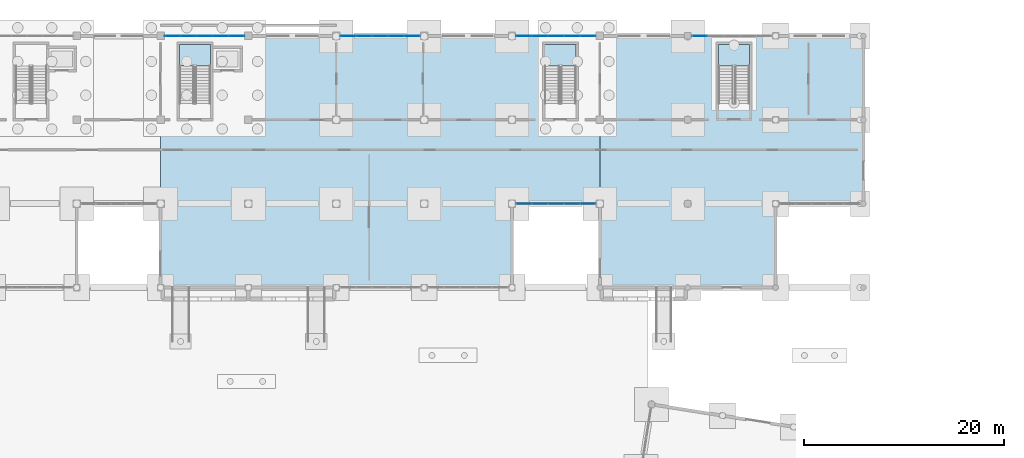
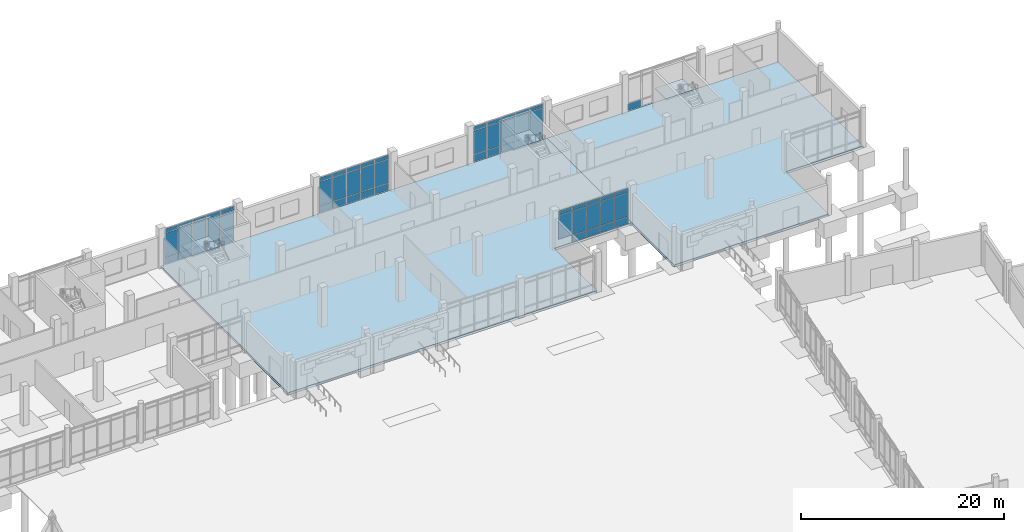
# One storey, part 38 of 72: 60 plates, 5 slabs, 8 elements without a shape of their own.
"""IFC4 building model written with IfcOpenShell, lengths in metres."""

import ifcopenshell
import ifcopenshell.guid

model = None  # the IFC model being written
_history = None  # IfcOwnerHistory: only IFC2X3 demands one
_inside = {}  # id of a spatial element -> (the spatial element, [elements in it])
_under = {}  # id of a project, library or spatial element -> (it, [spatial elements below it])
_declared = {}  # id of a project -> (the project, [libraries it declares])
_typed = {}  # id of a type object -> (the type object, [elements of that type])
_made_of = {}  # id of a material, layer set ... -> (it, [elements and type objects made of it])


def new_model(schema):
    """Start an empty IFC model of exactly this schema.

    Asked for "IFC4X3", IfcOpenShell would pick the latest addendum, in which some entities
    have other attributes; the version numbers below select the first issue.
    IFC2X3 requires an IfcOwnerHistory on every rooted entity: one is made here for all.
    """
    global model, _history
    if schema == "IFC4X3":
        model = ifcopenshell.file(schema_version=(4, 3, 0, 0))
    else:
        model = ifcopenshell.file(schema=schema)
    _inside.clear()
    _under.clear()
    _declared.clear()
    _typed.clear()
    _made_of.clear()
    _history = None
    if model.schema == "IFC2X3":
        org = make("IfcOrganization", Name="unknown")
        user = make(
            "IfcPersonAndOrganization",
            ThePerson=make("IfcPerson", FamilyName="unknown"),
            TheOrganization=org,
        )
        app = make(
            "IfcApplication",
            ApplicationDeveloper=org,
            Version="unknown",
            ApplicationFullName="unknown",
            ApplicationIdentifier="unknown",
        )
        _history = make(
            "IfcOwnerHistory",
            OwningUser=user,
            OwningApplication=app,
            ChangeAction="ADDED",
            CreationDate=0,
        )
    return model


def make(cls, **values):
    """One entity of the class cls with the attributes given. An attribute that is None is left unset."""
    return model.create_entity(
        cls, **{name: value for name, value in values.items() if value is not None}
    )


def rooted(cls, **values):
    """An entity with a GlobalId (a new one), such as an element, a storey or a relation."""
    return make(cls, GlobalId=ifcopenshell.guid.new(), OwnerHistory=_history, **values)


def si_unit(unit_type, name, prefix=None):
    """IfcSIUnit, for example si_unit("LENGTHUNIT", "METRE", prefix="MILLI")."""
    return make("IfcSIUnit", UnitType=unit_type, Prefix=prefix, Name=name)


def assignment(units):
    """IfcUnitAssignment: the units of a project."""
    return None if units is None else make("IfcUnitAssignment", Units=units)


def point(xyz):
    """IfcCartesianPoint."""
    return None if xyz is None else make("IfcCartesianPoint", Coordinates=xyz)


def direction(xyz):
    """IfcDirection."""
    return None if xyz is None else make("IfcDirection", DirectionRatios=xyz)


def frame(location, z_axis=None, x_axis=None):
    """IfcAxis2Placement3D, a coordinate frame: its origin and axes. An axis left out is left unset."""
    return make(
        "IfcAxis2Placement3D",
        Location=point(location),
        Axis=direction(z_axis),
        RefDirection=direction(x_axis),
    )


def frame_2d(location, x_axis=None):
    """IfcAxis2Placement2D, a coordinate frame in the plane: its origin and x axis."""
    return make(
        "IfcAxis2Placement2D", Location=point(location), RefDirection=direction(x_axis)
    )


def origin():
    """The frame at (0, 0, 0) with its axes left unset."""
    return frame((0.0, 0.0, 0.0))


def origin_2d():
    """The frame at (0, 0) in the plane with its x axis left unset."""
    return frame_2d((0.0, 0.0))


def place(relative_to, where):
    """IfcLocalPlacement: puts the frame where relative to a parent placement (None: the world)."""
    return make(
        "IfcLocalPlacement", PlacementRelTo=relative_to, RelativePlacement=where
    )


def context(
    kind, dimensions, precision=None, world=None, true_north=None, identifier=None
):
    """IfcGeometricRepresentationContext, for example the 3D "Model" context."""
    return make(
        "IfcGeometricRepresentationContext",
        ContextIdentifier=identifier,
        ContextType=kind,
        CoordinateSpaceDimension=dimensions,
        Precision=precision,
        WorldCoordinateSystem=world,
        TrueNorth=true_north,
    )


def subcontext(parent, identifier, kind, view, scale=None):
    """IfcGeometricRepresentationSubContext, for example "Body" below "Model"."""
    return make(
        "IfcGeometricRepresentationSubContext",
        ContextIdentifier=identifier,
        ContextType=kind,
        ParentContext=parent,
        TargetScale=scale,
        TargetView=view,
    )


def project(units=None, contexts=None):
    """IfcProject with its units and contexts."""
    return rooted(
        "IfcProject",
        Name="project",
        RepresentationContexts=contexts,
        UnitsInContext=assignment(units),
    )


def spatial(cls, under=None, at=None, **own):
    """A site, building, storey or space (cls), placed at a placement, below another one or the project."""
    s = rooted(cls, ObjectPlacement=at, **own)
    if under is not None:
        _under.setdefault(under.id(), (under, []))[1].append(s)
    return s


def polyline(points):
    """IfcPolyline through the points."""
    return make("IfcPolyline", Points=[point(p) for p in points])


def profile(cls, at=None, kind="AREA", **sizes):
    """A parametric profile (cls). Its sizes go by their IFC names, for example OverallWidth=200.0."""
    return make(cls, ProfileType=kind, Position=at, **sizes)


def rectangle(**sizes):
    """IfcRectangleProfileDef."""
    return profile("IfcRectangleProfileDef", **sizes)


def outline(outer, holes=None, kind="AREA"):
    """IfcArbitraryClosedProfileDef: a profile drawn as a closed curve; with holes, ...WithVoids."""
    if holes is None:
        return make("IfcArbitraryClosedProfileDef", ProfileType=kind, OuterCurve=outer)
    return make(
        "IfcArbitraryProfileDefWithVoids",
        ProfileType=kind,
        OuterCurve=outer,
        InnerCurves=holes,
    )


def extrude(swept, where, along, depth):
    """IfcExtrudedAreaSolid: the profile swept, set in the frame where, extruded along a direction by depth."""
    return make(
        "IfcExtrudedAreaSolid",
        SweptArea=swept,
        Position=where,
        ExtrudedDirection=direction(along),
        Depth=depth,
    )


def shape(context_of_items, identifier, shape_type, items):
    """IfcShapeRepresentation: the items that make up one representation, for example the "Body"."""
    return make(
        "IfcShapeRepresentation",
        ContextOfItems=context_of_items,
        RepresentationIdentifier=identifier,
        RepresentationType=shape_type,
        Items=items,
    )


def material(Name=None, Category=None):
    """IfcMaterial."""
    return make("IfcMaterial", Name=Name, Category=Category)


def layer(
    of_material, thickness, ventilated=None, Name=None, Category=None, Priority=None
):
    """IfcMaterialLayer: one layer of a wall or slab, of a material (None: an air gap)."""
    return make(
        "IfcMaterialLayer",
        Material=of_material,
        LayerThickness=thickness,
        IsVentilated=ventilated,
        Name=Name,
        Category=Category,
        Priority=Priority,
    )


def layer_set(layers, Name=None):
    """IfcMaterialLayerSet."""
    return make("IfcMaterialLayerSet", MaterialLayers=layers, LayerSetName=Name)


def made_of(thing, what):
    """Note that an element or type object is made of a material, layer set ...; save() writes the relation."""
    if what is not None:
        _made_of.setdefault(what.id(), (what, []))[1].append(thing)
    return thing


def type_object(cls, material=None, **own):
    """A type object (cls), such as IfcWallType, which elements share."""
    return made_of(rooted(cls, **own), material)


def element(
    cls,
    number,
    at=None,
    inside=None,
    cuts=None,
    type_object=None,
    material=None,
    context=None,
    identifier="Body",
    shape_type=None,
    held_by="IfcProductDefinitionShape",
    body=None,
    shapes=None,
    **own,
):
    """One element of the class cls, such as IfcWall. Its Tag is "e" and its number.

    at: its placement. inside: the storey or other place that contains it. cuts: it is an
    opening in that element (IfcRelVoidsElement). A single representation is given by context,
    identifier, shape_type and body (its items); several are given by shapes. held_by: the class
    of the entity that holds the representations. save() writes the other relations.
    """
    e = rooted(cls, Tag="e%d" % number, ObjectPlacement=at, **own)
    if body is not None:
        shapes = [shape(context, identifier, shape_type, body)]
    if shapes is not None:
        e.Representation = make(held_by, Representations=shapes)
    if inside is not None:
        _inside.setdefault(inside.id(), (inside, []))[1].append(e)
    if cuts is not None:
        rooted(
            "IfcRelVoidsElement", RelatingBuildingElement=cuts, RelatedOpeningElement=e
        )
    if type_object is not None:
        _typed.setdefault(type_object.id(), (type_object, []))[1].append(e)
    return made_of(e, material)


def aggregate(whole, parts):
    """IfcRelAggregates: a whole, such as a stair, and the parts it consists of."""
    return rooted("IfcRelAggregates", RelatingObject=whole, RelatedObjects=parts)


def save(model, path):
    """Write the relations noted so far, then the file.

    IfcRelAggregates (storeys below a building ...), IfcRelContainedInSpatialStructure (elements
    in a storey), IfcRelDefinesByType, IfcRelAssociatesMaterial and IfcRelDeclares: one each for
    every whole, place, type object, material and project.
    """
    for whole, parts in _under.values():
        aggregate(whole, parts)
    for where, things in _inside.values():
        rooted(
            "IfcRelContainedInSpatialStructure",
            RelatedElements=things,
            RelatingStructure=where,
        )
    for kind, things in _typed.values():
        rooted("IfcRelDefinesByType", RelatedObjects=things, RelatingType=kind)
    for what, things in _made_of.values():
        rooted("IfcRelAssociatesMaterial", RelatedObjects=things, RelatingMaterial=what)
    for by, libraries in _declared.values():
        rooted("IfcRelDeclares", RelatingContext=by, RelatedDefinitions=libraries)
    model.write(path)


model = new_model("IFC4")

# Units and contexts
model_context = context("Model", 3, precision=1e-05, world=origin(), true_north=direction((0.0, 1.0)))
body_context = subcontext(model_context, "Body", "Model", "MODEL_VIEW")
ifc_project = project(units=[si_unit("LENGTHUNIT", "METRE"), si_unit("AREAUNIT", "SQUARE_METRE"), si_unit("VOLUMEUNIT", "CUBIC_METRE"), si_unit("PLANEANGLEUNIT", "RADIAN"), si_unit("MASSUNIT", "GRAM", prefix="KILO")], contexts=[model_context])

# Site, building, storey
site_placement = place(None, origin())
site = spatial("IfcSite", under=ifc_project, at=site_placement, CompositionType="ELEMENT")
building_placement = place(site_placement, origin())
building = spatial("IfcBuilding", under=site, at=building_placement, Name="Cinderway Yard Community Centre", CompositionType="ELEMENT")
storey_placement = place(building_placement, origin())
storey = spatial("IfcBuildingStorey", under=building, at=storey_placement, Name="L00", CompositionType="ELEMENT", Elevation=0.0)

# Curtain wall, plates
ifc_material_1 = material(Name="Aluminium 6063-T6", Category="aluminium")
curtain_wall_type = type_object("IfcCurtainWallType", Name="ENV-CW-TYPE-25", PredefinedType="USERDEFINED", material=ifc_material_1)
curtain_wall_1_placement = place(storey_placement, origin())
curtain_wall_1 = element("IfcCurtainWall", 1, at=curtain_wall_1_placement, inside=storey, type_object=curtain_wall_type, Name="V4 Courtyard Curtain Wall ENV-CW-L00-ST-0119", ObjectType="GLAZED CURTAIN WALL", PredefinedType="USERDEFINED")
ifc_material_2 = material(Name="Laminated Low-E Glass", Category="glass")
ifc_layer_1 = layer(ifc_material_2, 0.028076171875, Name="Laminated Low-E Glass")
ifc_layer_set_1 = layer_set([ifc_layer_1], Name="Laminated Low-E Glass")
plate_type_1 = type_object("IfcPlateType", Name="ENV-CW-PAN-IGU28", PredefinedType="CURTAIN_PANEL", material=ifc_layer_set_1)
plate_1_placement = place(storey_placement, frame((111.59912109375, 98.39990234375, 0.93017578125), z_axis=(0.0, 0.0, 1.0), x_axis=(1.0, 0.0, 0.0)))
plate_1 = element("IfcPlate", 2, at=plate_1_placement, type_object=plate_type_1, Name="CW-25 panel 1.2", PredefinedType="CURTAIN_PANEL", context=body_context, shape_type="SweptSolid", body=[
    extrude(rectangle(XDim=1.51806640625, YDim=0.028076171875, at=origin_2d()), origin(), (0.0, 0.0, 1.0), 2.840087890625),
])
plate_2_placement = place(storey_placement, frame((111.59912109375, 98.39990234375, 3.830078125), z_axis=(0.0, 0.0, 1.0), x_axis=(1.0, 0.0, 0.0)))
plate_2 = element("IfcPlate", 3, at=plate_2_placement, type_object=plate_type_1, Name="CW-25 panel 1.3", PredefinedType="CURTAIN_PANEL", context=body_context, shape_type="SweptSolid", body=[
    extrude(rectangle(XDim=1.51806640625, YDim=0.028076171875, at=origin_2d()), origin(), (0.0, 0.0, 1.0), 0.4599609375),
])
plate_3_placement = place(storey_placement, frame((113.19189453125, 98.39990234375, 0.06005859375), z_axis=(0.0, 0.0, 1.0), x_axis=(1.0, 0.0, 0.0)))
plate_3 = element("IfcPlate", 4, at=plate_3_placement, type_object=plate_type_1, Name="CW-25 panel 2.1", PredefinedType="CURTAIN_PANEL", context=body_context, shape_type="SweptSolid", body=[
    extrude(rectangle(XDim=1.548095703125, YDim=0.028076171875, at=origin_2d()), origin(), (0.0, 0.0, 1.0), 0.81005859375),
])
plate_4_placement = place(storey_placement, frame((113.19189453125, 98.39990234375, 0.93017578125), z_axis=(0.0, 0.0, 1.0), x_axis=(1.0, 0.0, 0.0)))
plate_4 = element("IfcPlate", 5, at=plate_4_placement, type_object=plate_type_1, Name="CW-25 panel 2.2", PredefinedType="CURTAIN_PANEL", context=body_context, shape_type="SweptSolid", body=[
    extrude(rectangle(XDim=1.548095703125, YDim=0.028076171875, at=origin_2d()), origin(), (0.0, 0.0, 1.0), 2.840087890625),
])
plate_5_placement = place(storey_placement, frame((113.19189453125, 98.39990234375, 3.830078125), z_axis=(0.0, 0.0, 1.0), x_axis=(1.0, 0.0, 0.0)))
plate_5 = element("IfcPlate", 6, at=plate_5_placement, type_object=plate_type_1, Name="CW-25 panel 2.3", PredefinedType="CURTAIN_PANEL", context=body_context, shape_type="SweptSolid", body=[
    extrude(rectangle(XDim=1.548095703125, YDim=0.028076171875, at=origin_2d()), origin(), (0.0, 0.0, 1.0), 0.4599609375),
])
plate_6_placement = place(storey_placement, frame((114.800048828125, 98.39990234375, 0.06005859375), z_axis=(0.0, 0.0, 1.0), x_axis=(1.0, 0.0, 0.0)))
plate_6 = element("IfcPlate", 7, at=plate_6_placement, type_object=plate_type_1, Name="CW-25 panel 3.1", PredefinedType="CURTAIN_PANEL", context=body_context, shape_type="SweptSolid", body=[
    extrude(rectangle(XDim=1.548095703125, YDim=0.028076171875, at=origin_2d()), origin(), (0.0, 0.0, 1.0), 0.81005859375),
])
plate_7_placement = place(storey_placement, frame((114.800048828125, 98.39990234375, 0.93017578125), z_axis=(0.0, 0.0, 1.0), x_axis=(1.0, 0.0, 0.0)))
plate_7 = element("IfcPlate", 8, at=plate_7_placement, type_object=plate_type_1, Name="CW-25 panel 3.2", PredefinedType="CURTAIN_PANEL", context=body_context, shape_type="SweptSolid", body=[
    extrude(rectangle(XDim=1.548095703125, YDim=0.028076171875, at=origin_2d()), origin(), (0.0, 0.0, 1.0), 2.840087890625),
])
plate_8_placement = place(storey_placement, frame((114.800048828125, 98.39990234375, 3.830078125), z_axis=(0.0, 0.0, 1.0), x_axis=(1.0, 0.0, 0.0)))
plate_8 = element("IfcPlate", 9, at=plate_8_placement, type_object=plate_type_1, Name="CW-25 panel 3.3", PredefinedType="CURTAIN_PANEL", context=body_context, shape_type="SweptSolid", body=[
    extrude(rectangle(XDim=1.548095703125, YDim=0.028076171875, at=origin_2d()), origin(), (0.0, 0.0, 1.0), 0.4599609375),
])
plate_9_placement = place(storey_placement, frame((116.407958984375, 98.39990234375, 0.06005859375), z_axis=(0.0, 0.0, 1.0), x_axis=(1.0, 0.0, 0.0)))
plate_9 = element("IfcPlate", 10, at=plate_9_placement, type_object=plate_type_1, Name="CW-25 panel 4.1", PredefinedType="CURTAIN_PANEL", context=body_context, shape_type="SweptSolid", body=[
    extrude(rectangle(XDim=1.548095703125, YDim=0.028076171875, at=origin_2d()), origin(), (0.0, 0.0, 1.0), 0.81005859375),
])
plate_10_placement = place(storey_placement, frame((116.407958984375, 98.39990234375, 0.93017578125), z_axis=(0.0, 0.0, 1.0), x_axis=(1.0, 0.0, 0.0)))
plate_10 = element("IfcPlate", 11, at=plate_10_placement, type_object=plate_type_1, Name="CW-25 panel 4.2", PredefinedType="CURTAIN_PANEL", context=body_context, shape_type="SweptSolid", body=[
    extrude(rectangle(XDim=1.548095703125, YDim=0.028076171875, at=origin_2d()), origin(), (0.0, 0.0, 1.0), 2.840087890625),
])
plate_11_placement = place(storey_placement, frame((116.407958984375, 98.39990234375, 3.830078125), z_axis=(0.0, 0.0, 1.0), x_axis=(1.0, 0.0, 0.0)))
plate_11 = element("IfcPlate", 12, at=plate_11_placement, type_object=plate_type_1, Name="CW-25 panel 4.3", PredefinedType="CURTAIN_PANEL", context=body_context, shape_type="SweptSolid", body=[
    extrude(rectangle(XDim=1.548095703125, YDim=0.028076171875, at=origin_2d()), origin(), (0.0, 0.0, 1.0), 0.4599609375),
])
plate_12_placement = place(storey_placement, frame((118.0009765625, 98.39990234375, 0.06005859375), z_axis=(0.0, 0.0, 1.0), x_axis=(1.0, 0.0, 0.0)))
plate_12 = element("IfcPlate", 13, at=plate_12_placement, type_object=plate_type_1, Name="CW-25 panel 5.1", PredefinedType="CURTAIN_PANEL", context=body_context, shape_type="SweptSolid", body=[
    extrude(rectangle(XDim=1.51806640625, YDim=0.028076171875, at=origin_2d()), origin(), (0.0, 0.0, 1.0), 0.81005859375),
])
plate_13_placement = place(storey_placement, frame((118.0009765625, 98.39990234375, 0.93017578125), z_axis=(0.0, 0.0, 1.0), x_axis=(1.0, 0.0, 0.0)))
plate_13 = element("IfcPlate", 14, at=plate_13_placement, type_object=plate_type_1, Name="CW-25 panel 5.2", PredefinedType="CURTAIN_PANEL", context=body_context, shape_type="SweptSolid", body=[
    extrude(rectangle(XDim=1.51806640625, YDim=0.028076171875, at=origin_2d()), origin(), (0.0, 0.0, 1.0), 2.840087890625),
])
plate_14_placement = place(storey_placement, frame((118.0009765625, 98.39990234375, 3.830078125), z_axis=(0.0, 0.0, 1.0), x_axis=(1.0, 0.0, 0.0)))
plate_14 = element("IfcPlate", 15, at=plate_14_placement, type_object=plate_type_1, Name="CW-25 panel 5.3", PredefinedType="CURTAIN_PANEL", context=body_context, shape_type="SweptSolid", body=[
    extrude(rectangle(XDim=1.51806640625, YDim=0.028076171875, at=origin_2d()), origin(), (0.0, 0.0, 1.0), 0.4599609375),
])
aggregate(curtain_wall_1, [plate_1, plate_2, plate_3, plate_4, plate_5, plate_6, plate_7, plate_8, plate_9, plate_10, plate_11, plate_12, plate_13, plate_14])

curtain_wall_2_placement = place(storey_placement, origin())
curtain_wall_2 = element("IfcCurtainWall", 16, at=curtain_wall_2_placement, inside=storey, type_object=curtain_wall_type, Name="V4 Street Curtain Wall ENV-CW-L00-HS-0114", ObjectType="GLAZED CURTAIN WALL", PredefinedType="USERDEFINED")
ifc_layer_2 = layer(ifc_material_2, 0.031982421875, Name="Laminated Low-E Glass")
ifc_layer_set_2 = layer_set([ifc_layer_2], Name="Laminated Low-E Glass")
plate_type_2 = type_object("IfcPlateType", Name="ENV-CW-PAN-IGU32", PredefinedType="CURTAIN_PANEL", material=ifc_layer_set_2)
plate_15_placement = place(storey_placement, frame((76.39892578125, 115.199951171875, 0.06005859375), z_axis=(0.0, 0.0, 1.0), x_axis=(1.0, 0.0, 0.0)))
plate_15 = element("IfcPlate", 17, at=plate_15_placement, type_object=plate_type_2, Name="CW-25 panel 1.1", PredefinedType="CURTAIN_PANEL", context=body_context, shape_type="SweptSolid", body=[
    extrude(rectangle(XDim=1.51806640625, YDim=0.028076171875, at=origin_2d()), origin(), (0.0, 0.0, 1.0), 0.81005859375),
])
plate_16_placement = place(storey_placement, frame((76.39892578125, 115.199951171875, 0.93017578125), z_axis=(0.0, 0.0, 1.0), x_axis=(1.0, 0.0, 0.0)))
plate_16 = element("IfcPlate", 18, at=plate_16_placement, type_object=plate_type_2, Name="CW-25 panel 1.2", PredefinedType="CURTAIN_PANEL", context=body_context, shape_type="SweptSolid", body=[
    extrude(rectangle(XDim=1.51806640625, YDim=0.028076171875, at=origin_2d()), origin(), (0.0, 0.0, 1.0), 2.840087890625),
])
plate_17_placement = place(storey_placement, frame((76.39892578125, 115.199951171875, 3.830078125), z_axis=(0.0, 0.0, 1.0), x_axis=(1.0, 0.0, 0.0)))
plate_17 = element("IfcPlate", 19, at=plate_17_placement, type_object=plate_type_2, Name="CW-25 panel 1.3", PredefinedType="CURTAIN_PANEL", context=body_context, shape_type="SweptSolid", body=[
    extrude(rectangle(XDim=1.51806640625, YDim=0.028076171875, at=origin_2d()), origin(), (0.0, 0.0, 1.0), 0.4599609375),
])
plate_18_placement = place(storey_placement, frame((77.991943359375, 115.199951171875, 0.06005859375), z_axis=(0.0, 0.0, 1.0), x_axis=(1.0, 0.0, 0.0)))
plate_18 = element("IfcPlate", 20, at=plate_18_placement, type_object=plate_type_2, Name="CW-25 panel 2.1", PredefinedType="CURTAIN_PANEL", context=body_context, shape_type="SweptSolid", body=[
    extrude(rectangle(XDim=1.548095703125, YDim=0.028076171875, at=origin_2d()), origin(), (0.0, 0.0, 1.0), 0.81005859375),
])
plate_19_placement = place(storey_placement, frame((77.991943359375, 115.199951171875, 0.93017578125), z_axis=(0.0, 0.0, 1.0), x_axis=(1.0, 0.0, 0.0)))
plate_19 = element("IfcPlate", 21, at=plate_19_placement, type_object=plate_type_2, Name="CW-25 panel 2.2", PredefinedType="CURTAIN_PANEL", context=body_context, shape_type="SweptSolid", body=[
    extrude(rectangle(XDim=1.548095703125, YDim=0.028076171875, at=origin_2d()), origin(), (0.0, 0.0, 1.0), 2.840087890625),
])
plate_20_placement = place(storey_placement, frame((77.991943359375, 115.199951171875, 3.830078125), z_axis=(0.0, 0.0, 1.0), x_axis=(1.0, 0.0, 0.0)))
plate_20 = element("IfcPlate", 22, at=plate_20_placement, type_object=plate_type_2, Name="CW-25 panel 2.3", PredefinedType="CURTAIN_PANEL", context=body_context, shape_type="SweptSolid", body=[
    extrude(rectangle(XDim=1.548095703125, YDim=0.028076171875, at=origin_2d()), origin(), (0.0, 0.0, 1.0), 0.4599609375),
])
plate_21_placement = place(storey_placement, frame((79.60009765625, 115.199951171875, 0.06005859375), z_axis=(0.0, 0.0, 1.0), x_axis=(1.0, 0.0, 0.0)))
plate_21 = element("IfcPlate", 23, at=plate_21_placement, type_object=plate_type_2, Name="CW-25 panel 3.1", PredefinedType="CURTAIN_PANEL", context=body_context, shape_type="SweptSolid", body=[
    extrude(rectangle(XDim=1.548095703125, YDim=0.028076171875, at=origin_2d()), origin(), (0.0, 0.0, 1.0), 0.81005859375),
])
plate_22_placement = place(storey_placement, frame((79.60009765625, 115.199951171875, 0.93017578125), z_axis=(0.0, 0.0, 1.0), x_axis=(1.0, 0.0, 0.0)))
plate_22 = element("IfcPlate", 24, at=plate_22_placement, type_object=plate_type_2, Name="CW-25 panel 3.2", PredefinedType="CURTAIN_PANEL", context=body_context, shape_type="SweptSolid", body=[
    extrude(rectangle(XDim=1.548095703125, YDim=0.028076171875, at=origin_2d()), origin(), (0.0, 0.0, 1.0), 2.840087890625),
])
plate_23_placement = place(storey_placement, frame((79.60009765625, 115.199951171875, 3.830078125), z_axis=(0.0, 0.0, 1.0), x_axis=(1.0, 0.0, 0.0)))
plate_23 = element("IfcPlate", 25, at=plate_23_placement, type_object=plate_type_2, Name="CW-25 panel 3.3", PredefinedType="CURTAIN_PANEL", context=body_context, shape_type="SweptSolid", body=[
    extrude(rectangle(XDim=1.548095703125, YDim=0.028076171875, at=origin_2d()), origin(), (0.0, 0.0, 1.0), 0.4599609375),
])
plate_24_placement = place(storey_placement, frame((81.2080078125, 115.199951171875, 0.06005859375), z_axis=(0.0, 0.0, 1.0), x_axis=(1.0, 0.0, 0.0)))
plate_24 = element("IfcPlate", 26, at=plate_24_placement, type_object=plate_type_2, Name="CW-25 panel 4.1", PredefinedType="CURTAIN_PANEL", context=body_context, shape_type="SweptSolid", body=[
    extrude(rectangle(XDim=1.548095703125, YDim=0.028076171875, at=origin_2d()), origin(), (0.0, 0.0, 1.0), 0.81005859375),
])
plate_25_placement = place(storey_placement, frame((81.2080078125, 115.199951171875, 0.93017578125), z_axis=(0.0, 0.0, 1.0), x_axis=(1.0, 0.0, 0.0)))
plate_25 = element("IfcPlate", 27, at=plate_25_placement, type_object=plate_type_2, Name="CW-25 panel 4.2", PredefinedType="CURTAIN_PANEL", context=body_context, shape_type="SweptSolid", body=[
    extrude(rectangle(XDim=1.548095703125, YDim=0.028076171875, at=origin_2d()), origin(), (0.0, 0.0, 1.0), 2.840087890625),
])
plate_26_placement = place(storey_placement, frame((81.2080078125, 115.199951171875, 3.830078125), z_axis=(0.0, 0.0, 1.0), x_axis=(1.0, 0.0, 0.0)))
plate_26 = element("IfcPlate", 28, at=plate_26_placement, type_object=plate_type_2, Name="CW-25 panel 4.3", PredefinedType="CURTAIN_PANEL", context=body_context, shape_type="SweptSolid", body=[
    extrude(rectangle(XDim=1.548095703125, YDim=0.028076171875, at=origin_2d()), origin(), (0.0, 0.0, 1.0), 0.4599609375),
])
plate_27_placement = place(storey_placement, frame((82.801025390625, 115.199951171875, 0.06005859375), z_axis=(0.0, 0.0, 1.0), x_axis=(1.0, 0.0, 0.0)))
plate_27 = element("IfcPlate", 29, at=plate_27_placement, type_object=plate_type_2, Name="CW-25 panel 5.1", PredefinedType="CURTAIN_PANEL", context=body_context, shape_type="SweptSolid", body=[
    extrude(rectangle(XDim=1.51806640625, YDim=0.028076171875, at=origin_2d()), origin(), (0.0, 0.0, 1.0), 0.81005859375),
])
plate_28_placement = place(storey_placement, frame((82.801025390625, 115.199951171875, 0.93017578125), z_axis=(0.0, 0.0, 1.0), x_axis=(1.0, 0.0, 0.0)))
plate_28 = element("IfcPlate", 30, at=plate_28_placement, type_object=plate_type_2, Name="CW-25 panel 5.2", PredefinedType="CURTAIN_PANEL", context=body_context, shape_type="SweptSolid", body=[
    extrude(rectangle(XDim=1.51806640625, YDim=0.028076171875, at=origin_2d()), origin(), (0.0, 0.0, 1.0), 2.840087890625),
])
plate_29_placement = place(storey_placement, frame((82.801025390625, 115.199951171875, 3.830078125), z_axis=(0.0, 0.0, 1.0), x_axis=(1.0, 0.0, 0.0)))
plate_29 = element("IfcPlate", 31, at=plate_29_placement, type_object=plate_type_2, Name="CW-25 panel 5.3", PredefinedType="CURTAIN_PANEL", context=body_context, shape_type="SweptSolid", body=[
    extrude(rectangle(XDim=1.51806640625, YDim=0.028076171875, at=origin_2d()), origin(), (0.0, 0.0, 1.0), 0.4599609375),
])
aggregate(curtain_wall_2, [plate_15, plate_16, plate_17, plate_18, plate_19, plate_20, plate_21, plate_22, plate_23, plate_24, plate_25, plate_26, plate_27, plate_28, plate_29])

curtain_wall_3_placement = place(storey_placement, origin())
curtain_wall_3 = element("IfcCurtainWall", 32, at=curtain_wall_3_placement, inside=storey, type_object=curtain_wall_type, Name="V4 Street Curtain Wall ENV-CW-L00-HS-0115", ObjectType="GLAZED CURTAIN WALL", PredefinedType="USERDEFINED")
plate_30_placement = place(storey_placement, frame((93.9990234375, 115.199951171875, 0.06005859375), z_axis=(0.0, 0.0, 1.0), x_axis=(1.0, 0.0, 0.0)))
plate_30 = element("IfcPlate", 33, at=plate_30_placement, type_object=plate_type_2, Name="CW-25 panel 1.1", PredefinedType="CURTAIN_PANEL", context=body_context, shape_type="SweptSolid", body=[
    extrude(rectangle(XDim=1.51806640625, YDim=0.028076171875, at=origin_2d()), origin(), (0.0, 0.0, 1.0), 0.81005859375),
])
plate_31_placement = place(storey_placement, frame((93.9990234375, 115.199951171875, 0.93017578125), z_axis=(0.0, 0.0, 1.0), x_axis=(1.0, 0.0, 0.0)))
plate_31 = element("IfcPlate", 34, at=plate_31_placement, type_object=plate_type_2, Name="CW-25 panel 1.2", PredefinedType="CURTAIN_PANEL", context=body_context, shape_type="SweptSolid", body=[
    extrude(rectangle(XDim=1.51806640625, YDim=0.028076171875, at=origin_2d()), origin(), (0.0, 0.0, 1.0), 2.840087890625),
])
plate_32_placement = place(storey_placement, frame((93.9990234375, 115.199951171875, 3.830078125), z_axis=(0.0, 0.0, 1.0), x_axis=(1.0, 0.0, 0.0)))
plate_32 = element("IfcPlate", 35, at=plate_32_placement, type_object=plate_type_2, Name="CW-25 panel 1.3", PredefinedType="CURTAIN_PANEL", context=body_context, shape_type="SweptSolid", body=[
    extrude(rectangle(XDim=1.51806640625, YDim=0.028076171875, at=origin_2d()), origin(), (0.0, 0.0, 1.0), 0.4599609375),
])
plate_33_placement = place(storey_placement, frame((95.592041015625, 115.199951171875, 0.06005859375), z_axis=(0.0, 0.0, 1.0), x_axis=(1.0, 0.0, 0.0)))
plate_33 = element("IfcPlate", 36, at=plate_33_placement, type_object=plate_type_2, Name="CW-25 panel 2.1", PredefinedType="CURTAIN_PANEL", context=body_context, shape_type="SweptSolid", body=[
    extrude(rectangle(XDim=1.548095703125, YDim=0.028076171875, at=origin_2d()), origin(), (0.0, 0.0, 1.0), 0.81005859375),
])
plate_34_placement = place(storey_placement, frame((95.592041015625, 115.199951171875, 0.93017578125), z_axis=(0.0, 0.0, 1.0), x_axis=(1.0, 0.0, 0.0)))
plate_34 = element("IfcPlate", 37, at=plate_34_placement, type_object=plate_type_2, Name="CW-25 panel 2.2", PredefinedType="CURTAIN_PANEL", context=body_context, shape_type="SweptSolid", body=[
    extrude(rectangle(XDim=1.548095703125, YDim=0.028076171875, at=origin_2d()), origin(), (0.0, 0.0, 1.0), 2.840087890625),
])
plate_35_placement = place(storey_placement, frame((95.592041015625, 115.199951171875, 3.830078125), z_axis=(0.0, 0.0, 1.0), x_axis=(1.0, 0.0, 0.0)))
plate_35 = element("IfcPlate", 38, at=plate_35_placement, type_object=plate_type_2, Name="CW-25 panel 2.3", PredefinedType="CURTAIN_PANEL", context=body_context, shape_type="SweptSolid", body=[
    extrude(rectangle(XDim=1.548095703125, YDim=0.028076171875, at=origin_2d()), origin(), (0.0, 0.0, 1.0), 0.4599609375),
])
plate_36_placement = place(storey_placement, frame((97.199951171875, 115.199951171875, 0.06005859375), z_axis=(0.0, 0.0, 1.0), x_axis=(1.0, 0.0, 0.0)))
plate_36 = element("IfcPlate", 39, at=plate_36_placement, type_object=plate_type_2, Name="CW-25 panel 3.1", PredefinedType="CURTAIN_PANEL", context=body_context, shape_type="SweptSolid", body=[
    extrude(rectangle(XDim=1.548095703125, YDim=0.028076171875, at=origin_2d()), origin(), (0.0, 0.0, 1.0), 0.81005859375),
])
plate_37_placement = place(storey_placement, frame((97.199951171875, 115.199951171875, 0.93017578125), z_axis=(0.0, 0.0, 1.0), x_axis=(1.0, 0.0, 0.0)))
plate_37 = element("IfcPlate", 40, at=plate_37_placement, type_object=plate_type_2, Name="CW-25 panel 3.2", PredefinedType="CURTAIN_PANEL", context=body_context, shape_type="SweptSolid", body=[
    extrude(rectangle(XDim=1.548095703125, YDim=0.028076171875, at=origin_2d()), origin(), (0.0, 0.0, 1.0), 2.840087890625),
])
plate_38_placement = place(storey_placement, frame((97.199951171875, 115.199951171875, 3.830078125), z_axis=(0.0, 0.0, 1.0), x_axis=(1.0, 0.0, 0.0)))
plate_38 = element("IfcPlate", 41, at=plate_38_placement, type_object=plate_type_2, Name="CW-25 panel 3.3", PredefinedType="CURTAIN_PANEL", context=body_context, shape_type="SweptSolid", body=[
    extrude(rectangle(XDim=1.548095703125, YDim=0.028076171875, at=origin_2d()), origin(), (0.0, 0.0, 1.0), 0.4599609375),
])
plate_39_placement = place(storey_placement, frame((98.80810546875, 115.199951171875, 0.06005859375), z_axis=(0.0, 0.0, 1.0), x_axis=(1.0, 0.0, 0.0)))
plate_39 = element("IfcPlate", 42, at=plate_39_placement, type_object=plate_type_2, Name="CW-25 panel 4.1", PredefinedType="CURTAIN_PANEL", context=body_context, shape_type="SweptSolid", body=[
    extrude(rectangle(XDim=1.548095703125, YDim=0.028076171875, at=origin_2d()), origin(), (0.0, 0.0, 1.0), 0.81005859375),
])
plate_40_placement = place(storey_placement, frame((98.80810546875, 115.199951171875, 0.93017578125), z_axis=(0.0, 0.0, 1.0), x_axis=(1.0, 0.0, 0.0)))
plate_40 = element("IfcPlate", 43, at=plate_40_placement, type_object=plate_type_2, Name="CW-25 panel 4.2", PredefinedType="CURTAIN_PANEL", context=body_context, shape_type="SweptSolid", body=[
    extrude(rectangle(XDim=1.548095703125, YDim=0.028076171875, at=origin_2d()), origin(), (0.0, 0.0, 1.0), 2.840087890625),
])
plate_41_placement = place(storey_placement, frame((98.80810546875, 115.199951171875, 3.830078125), z_axis=(0.0, 0.0, 1.0), x_axis=(1.0, 0.0, 0.0)))
plate_41 = element("IfcPlate", 44, at=plate_41_placement, type_object=plate_type_2, Name="CW-25 panel 4.3", PredefinedType="CURTAIN_PANEL", context=body_context, shape_type="SweptSolid", body=[
    extrude(rectangle(XDim=1.548095703125, YDim=0.028076171875, at=origin_2d()), origin(), (0.0, 0.0, 1.0), 0.4599609375),
])
plate_42_placement = place(storey_placement, frame((100.40087890625, 115.199951171875, 0.06005859375), z_axis=(0.0, 0.0, 1.0), x_axis=(1.0, 0.0, 0.0)))
plate_42 = element("IfcPlate", 45, at=plate_42_placement, type_object=plate_type_2, Name="CW-25 panel 5.1", PredefinedType="CURTAIN_PANEL", context=body_context, shape_type="SweptSolid", body=[
    extrude(rectangle(XDim=1.51806640625, YDim=0.028076171875, at=origin_2d()), origin(), (0.0, 0.0, 1.0), 0.81005859375),
])
plate_43_placement = place(storey_placement, frame((100.40087890625, 115.199951171875, 0.93017578125), z_axis=(0.0, 0.0, 1.0), x_axis=(1.0, 0.0, 0.0)))
plate_43 = element("IfcPlate", 46, at=plate_43_placement, type_object=plate_type_2, Name="CW-25 panel 5.2", PredefinedType="CURTAIN_PANEL", context=body_context, shape_type="SweptSolid", body=[
    extrude(rectangle(XDim=1.51806640625, YDim=0.028076171875, at=origin_2d()), origin(), (0.0, 0.0, 1.0), 2.840087890625),
])
plate_44_placement = place(storey_placement, frame((100.40087890625, 115.199951171875, 3.830078125), z_axis=(0.0, 0.0, 1.0), x_axis=(1.0, 0.0, 0.0)))
plate_44 = element("IfcPlate", 47, at=plate_44_placement, type_object=plate_type_2, Name="CW-25 panel 5.3", PredefinedType="CURTAIN_PANEL", context=body_context, shape_type="SweptSolid", body=[
    extrude(rectangle(XDim=1.51806640625, YDim=0.028076171875, at=origin_2d()), origin(), (0.0, 0.0, 1.0), 0.4599609375),
])
aggregate(curtain_wall_3, [plate_30, plate_31, plate_32, plate_33, plate_34, plate_35, plate_36, plate_37, plate_38, plate_39, plate_40, plate_41, plate_42, plate_43, plate_44])

curtain_wall_4_placement = place(storey_placement, origin())
curtain_wall_4 = element("IfcCurtainWall", 48, at=curtain_wall_4_placement, inside=storey, type_object=curtain_wall_type, Name="V4 Street Curtain Wall ENV-CW-L00-HS-0118", ObjectType="GLAZED CURTAIN WALL", PredefinedType="USERDEFINED")
plate_45_placement = place(storey_placement, frame((111.59912109375, 115.199951171875, 0.06005859375), z_axis=(0.0, 0.0, 1.0), x_axis=(1.0, 0.0, 0.0)))
plate_45 = element("IfcPlate", 49, at=plate_45_placement, type_object=plate_type_2, Name="CW-25 panel 1.1", PredefinedType="CURTAIN_PANEL", context=body_context, shape_type="SweptSolid", body=[
    extrude(rectangle(XDim=1.51806640625, YDim=0.028076171875, at=origin_2d()), origin(), (0.0, 0.0, 1.0), 0.81005859375),
])
plate_46_placement = place(storey_placement, frame((111.59912109375, 115.199951171875, 0.93017578125), z_axis=(0.0, 0.0, 1.0), x_axis=(1.0, 0.0, 0.0)))
plate_46 = element("IfcPlate", 50, at=plate_46_placement, type_object=plate_type_2, Name="CW-25 panel 1.2", PredefinedType="CURTAIN_PANEL", context=body_context, shape_type="SweptSolid", body=[
    extrude(rectangle(XDim=1.51806640625, YDim=0.028076171875, at=origin_2d()), origin(), (0.0, 0.0, 1.0), 2.840087890625),
])
plate_47_placement = place(storey_placement, frame((111.59912109375, 115.199951171875, 3.830078125), z_axis=(0.0, 0.0, 1.0), x_axis=(1.0, 0.0, 0.0)))
plate_47 = element("IfcPlate", 51, at=plate_47_placement, type_object=plate_type_2, Name="CW-25 panel 1.3", PredefinedType="CURTAIN_PANEL", context=body_context, shape_type="SweptSolid", body=[
    extrude(rectangle(XDim=1.51806640625, YDim=0.028076171875, at=origin_2d()), origin(), (0.0, 0.0, 1.0), 0.4599609375),
])
plate_48_placement = place(storey_placement, frame((113.19189453125, 115.199951171875, 0.06005859375), z_axis=(0.0, 0.0, 1.0), x_axis=(1.0, 0.0, 0.0)))
plate_48 = element("IfcPlate", 52, at=plate_48_placement, type_object=plate_type_2, Name="CW-25 panel 2.1", PredefinedType="CURTAIN_PANEL", context=body_context, shape_type="SweptSolid", body=[
    extrude(rectangle(XDim=1.548095703125, YDim=0.028076171875, at=origin_2d()), origin(), (0.0, 0.0, 1.0), 0.81005859375),
])
plate_49_placement = place(storey_placement, frame((113.19189453125, 115.199951171875, 0.93017578125), z_axis=(0.0, 0.0, 1.0), x_axis=(1.0, 0.0, 0.0)))
plate_49 = element("IfcPlate", 53, at=plate_49_placement, type_object=plate_type_2, Name="CW-25 panel 2.2", PredefinedType="CURTAIN_PANEL", context=body_context, shape_type="SweptSolid", body=[
    extrude(rectangle(XDim=1.548095703125, YDim=0.028076171875, at=origin_2d()), origin(), (0.0, 0.0, 1.0), 2.840087890625),
])
plate_50_placement = place(storey_placement, frame((113.19189453125, 115.199951171875, 3.830078125), z_axis=(0.0, 0.0, 1.0), x_axis=(1.0, 0.0, 0.0)))
plate_50 = element("IfcPlate", 54, at=plate_50_placement, type_object=plate_type_2, Name="CW-25 panel 2.3", PredefinedType="CURTAIN_PANEL", context=body_context, shape_type="SweptSolid", body=[
    extrude(rectangle(XDim=1.548095703125, YDim=0.028076171875, at=origin_2d()), origin(), (0.0, 0.0, 1.0), 0.4599609375),
])
plate_51_placement = place(storey_placement, frame((114.800048828125, 115.199951171875, 0.06005859375), z_axis=(0.0, 0.0, 1.0), x_axis=(1.0, 0.0, 0.0)))
plate_51 = element("IfcPlate", 55, at=plate_51_placement, type_object=plate_type_2, Name="CW-25 panel 3.1", PredefinedType="CURTAIN_PANEL", context=body_context, shape_type="SweptSolid", body=[
    extrude(rectangle(XDim=1.548095703125, YDim=0.028076171875, at=origin_2d()), origin(), (0.0, 0.0, 1.0), 0.81005859375),
])
plate_52_placement = place(storey_placement, frame((114.800048828125, 115.199951171875, 0.93017578125), z_axis=(0.0, 0.0, 1.0), x_axis=(1.0, 0.0, 0.0)))
plate_52 = element("IfcPlate", 56, at=plate_52_placement, type_object=plate_type_2, Name="CW-25 panel 3.2", PredefinedType="CURTAIN_PANEL", context=body_context, shape_type="SweptSolid", body=[
    extrude(rectangle(XDim=1.548095703125, YDim=0.028076171875, at=origin_2d()), origin(), (0.0, 0.0, 1.0), 2.840087890625),
])
plate_53_placement = place(storey_placement, frame((114.800048828125, 115.199951171875, 3.830078125), z_axis=(0.0, 0.0, 1.0), x_axis=(1.0, 0.0, 0.0)))
plate_53 = element("IfcPlate", 57, at=plate_53_placement, type_object=plate_type_2, Name="CW-25 panel 3.3", PredefinedType="CURTAIN_PANEL", context=body_context, shape_type="SweptSolid", body=[
    extrude(rectangle(XDim=1.548095703125, YDim=0.028076171875, at=origin_2d()), origin(), (0.0, 0.0, 1.0), 0.4599609375),
])
plate_54_placement = place(storey_placement, frame((116.407958984375, 115.199951171875, 0.06005859375), z_axis=(0.0, 0.0, 1.0), x_axis=(1.0, 0.0, 0.0)))
plate_54 = element("IfcPlate", 58, at=plate_54_placement, type_object=plate_type_2, Name="CW-25 panel 4.1", PredefinedType="CURTAIN_PANEL", context=body_context, shape_type="SweptSolid", body=[
    extrude(rectangle(XDim=1.548095703125, YDim=0.028076171875, at=origin_2d()), origin(), (0.0, 0.0, 1.0), 0.81005859375),
])
plate_55_placement = place(storey_placement, frame((116.407958984375, 115.199951171875, 0.93017578125), z_axis=(0.0, 0.0, 1.0), x_axis=(1.0, 0.0, 0.0)))
plate_55 = element("IfcPlate", 59, at=plate_55_placement, type_object=plate_type_2, Name="CW-25 panel 4.2", PredefinedType="CURTAIN_PANEL", context=body_context, shape_type="SweptSolid", body=[
    extrude(rectangle(XDim=1.548095703125, YDim=0.028076171875, at=origin_2d()), origin(), (0.0, 0.0, 1.0), 2.840087890625),
])
plate_56_placement = place(storey_placement, frame((116.407958984375, 115.199951171875, 3.830078125), z_axis=(0.0, 0.0, 1.0), x_axis=(1.0, 0.0, 0.0)))
plate_56 = element("IfcPlate", 60, at=plate_56_placement, type_object=plate_type_2, Name="CW-25 panel 4.3", PredefinedType="CURTAIN_PANEL", context=body_context, shape_type="SweptSolid", body=[
    extrude(rectangle(XDim=1.548095703125, YDim=0.028076171875, at=origin_2d()), origin(), (0.0, 0.0, 1.0), 0.4599609375),
])
plate_57_placement = place(storey_placement, frame((118.0009765625, 115.199951171875, 0.06005859375), z_axis=(0.0, 0.0, 1.0), x_axis=(1.0, 0.0, 0.0)))
plate_57 = element("IfcPlate", 61, at=plate_57_placement, type_object=plate_type_2, Name="CW-25 panel 5.1", PredefinedType="CURTAIN_PANEL", context=body_context, shape_type="SweptSolid", body=[
    extrude(rectangle(XDim=1.51806640625, YDim=0.028076171875, at=origin_2d()), origin(), (0.0, 0.0, 1.0), 0.81005859375),
])
plate_58_placement = place(storey_placement, frame((118.0009765625, 115.199951171875, 0.93017578125), z_axis=(0.0, 0.0, 1.0), x_axis=(1.0, 0.0, 0.0)))
plate_58 = element("IfcPlate", 62, at=plate_58_placement, type_object=plate_type_2, Name="CW-25 panel 5.2", PredefinedType="CURTAIN_PANEL", context=body_context, shape_type="SweptSolid", body=[
    extrude(rectangle(XDim=1.51806640625, YDim=0.028076171875, at=origin_2d()), origin(), (0.0, 0.0, 1.0), 2.840087890625),
])
plate_59_placement = place(storey_placement, frame((118.0009765625, 115.199951171875, 3.830078125), z_axis=(0.0, 0.0, 1.0), x_axis=(1.0, 0.0, 0.0)))
plate_59 = element("IfcPlate", 63, at=plate_59_placement, type_object=plate_type_2, Name="CW-25 panel 5.3", PredefinedType="CURTAIN_PANEL", context=body_context, shape_type="SweptSolid", body=[
    extrude(rectangle(XDim=1.51806640625, YDim=0.028076171875, at=origin_2d()), origin(), (0.0, 0.0, 1.0), 0.4599609375),
])
aggregate(curtain_wall_4, [plate_45, plate_46, plate_47, plate_48, plate_49, plate_50, plate_51, plate_52, plate_53, plate_54, plate_55, plate_56, plate_57, plate_58, plate_59])

# Curtain wall, plate
curtain_wall_5_placement = place(storey_placement, origin())
curtain_wall_5 = element("IfcCurtainWall", 64, at=curtain_wall_5_placement, inside=storey, type_object=curtain_wall_type, Name="V4 Street Curtain Wall ENV-CW-L00-HS-0120", ObjectType="GLAZED CURTAIN WALL", PredefinedType="USERDEFINED")
plate_60_placement = place(storey_placement, frame((129.198974609375, 115.199951171875, 0.06005859375), z_axis=(0.0, 0.0, 1.0), x_axis=(1.0, 0.0, 0.0)))
plate_60 = element("IfcPlate", 65, at=plate_60_placement, type_object=plate_type_2, Name="CW-25 panel 1.1", PredefinedType="CURTAIN_PANEL", context=body_context, shape_type="SweptSolid", body=[
    extrude(rectangle(XDim=1.51806640625, YDim=0.028076171875, at=origin_2d()), origin(), (0.0, 0.0, 1.0), 0.81005859375),
])
aggregate(curtain_wall_5, [plate_60])

# Stair, slab
ifc_material_3 = material(Name="Concrete C40/50", Category="concrete")
stair_type_1 = type_object("IfcStairType", Name="INT-STR-480B", PredefinedType="HALF_TURN_STAIR", material=ifc_material_3)
stair_1_placement = place(storey_placement, origin())
stair_1 = element("IfcStair", 66, at=stair_1_placement, inside=storey, type_object=stair_type_1, Name="L00 Core C2A Exit Stair ST-02", PredefinedType="HALF_TURN_STAIR")
ifc_layer_3 = layer(ifc_material_3, 0.199951171875, Name="Concrete C40/50")
ifc_layer_set_3 = layer_set([ifc_layer_3], Name="Concrete C40/50")
slab_type_1 = type_object("IfcSlabType", Name="INT-SLB-LND200", PredefinedType="LANDING", material=ifc_layer_set_3)
slab_1_placement = place(storey_placement, frame((0.0, 0.0, 2.199951171875)))
slab_1 = element("IfcSlab", 67, at=slab_1_placement, type_object=slab_type_1, Name="ST-02 landing 1", PredefinedType="LANDING", context=body_context, shape_type="SweptSolid", body=[
    extrude(outline(polyline([(80.199951171875, 112.199951171875), (80.199951171875, 114.35009765625), (77.080078125, 114.35009765625), (77.080078125, 112.199951171875), (80.199951171875, 112.199951171875)])), origin(), (0.0, 0.0, 1.0), 0.199951171875),
])
aggregate(stair_1, [slab_1])

stair_type_2 = type_object("IfcStairType", Name="INT-STR-480A", PredefinedType="HALF_TURN_STAIR", material=ifc_material_3)
stair_2_placement = place(storey_placement, origin())
stair_2 = element("IfcStair", 68, at=stair_2_placement, inside=storey, type_object=stair_type_2, Name="L00 Core C2B Exit Stair ST-03", PredefinedType="HALF_TURN_STAIR")
slab_2_placement = place(storey_placement, frame((0.0, 0.0, 2.199951171875)))
slab_2 = element("IfcSlab", 69, at=slab_2_placement, type_object=slab_type_1, Name="ST-03 landing 1", PredefinedType="LANDING", context=body_context, shape_type="SweptSolid", body=[
    extrude(outline(polyline([(116.800048828125, 112.199951171875), (116.800048828125, 114.35009765625), (113.679931640625, 114.35009765625), (113.679931640625, 112.199951171875), (116.800048828125, 112.199951171875)])), origin(), (0.0, 0.0, 1.0), 0.199951171875),
])
aggregate(stair_2, [slab_2])

stair_3_placement = place(storey_placement, origin())
stair_3 = element("IfcStair", 70, at=stair_3_placement, inside=storey, type_object=stair_type_1, Name="L00 Core C2C Exit Stair ST-04", PredefinedType="HALF_TURN_STAIR")
slab_3_placement = place(storey_placement, frame((0.0, 0.0, 2.199951171875)))
slab_3 = element("IfcSlab", 71, at=slab_3_placement, type_object=slab_type_1, Name="ST-04 landing 1", PredefinedType="LANDING", context=body_context, shape_type="SweptSolid", body=[
    extrude(outline(polyline([(134.199951171875, 112.199951171875), (134.199951171875, 114.35009765625), (131.080078125, 114.35009765625), (131.080078125, 112.199951171875), (134.199951171875, 112.199951171875)])), origin(), (0.0, 0.0, 1.0), 0.199951171875),
])
aggregate(stair_3, [slab_3])

# Slabs
ifc_material_4 = material(Name="Concrete C35/45", Category="concrete")
ifc_layer_4 = layer(ifc_material_4, 0.300048828125, Name="Concrete C35/45")
ifc_layer_set_4 = layer_set([ifc_layer_4], Name="Concrete C35/45")
slab_type_2 = type_object("IfcSlabType", Name="STR-SLAB-BASE-300", PredefinedType="BASESLAB", material=ifc_layer_set_4)
slab_4_placement = place(storey_placement, frame((0.0, 0.0, -0.300048828125)))
element("IfcSlab", 72, at=slab_4_placement, inside=storey, type_object=slab_type_2, Name="Learning Wing Central Ground Slab STR-SLAB-L00-005", PredefinedType="BASESLAB", context=body_context, shape_type="SweptSolid", body=[
    extrude(outline(polyline([(75.199951171875, 98.39990234375), (75.199951171875, 90.0), (110.39990234375, 90.0), (110.39990234375, 98.39990234375), (119.199951171875, 98.39990234375), (119.199951171875, 115.199951171875), (75.199951171875, 115.199951171875), (75.199951171875, 98.39990234375)])), origin(), (0.0, 0.0, 1.0), 0.300048828125),
])
slab_5_placement = place(storey_placement, frame((0.0, 0.0, -0.300048828125)))
element("IfcSlab", 73, at=slab_5_placement, inside=storey, type_object=slab_type_2, Name="Nursery East Wing Ground Slab STR-SLAB-L00-006", PredefinedType="BASESLAB", context=body_context, shape_type="SweptSolid", body=[
    extrude(outline(polyline([(119.199951171875, 98.39990234375), (119.199951171875, 90.0), (136.800048828125, 90.0), (136.800048828125, 98.39990234375), (145.60009765625, 98.39990234375), (145.60009765625, 115.199951171875), (119.199951171875, 115.199951171875), (119.199951171875, 98.39990234375)])), origin(), (0.0, 0.0, 1.0), 0.300048828125),
])

save(model, "model.ifc")
